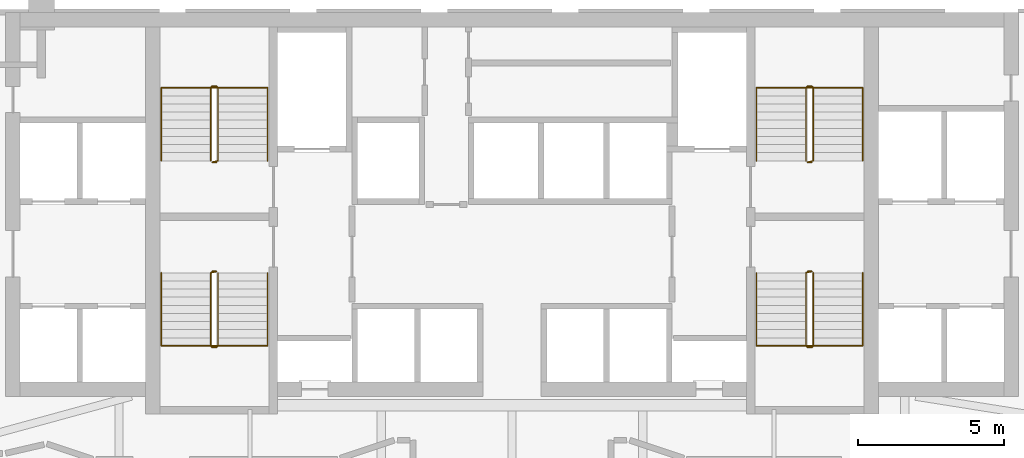
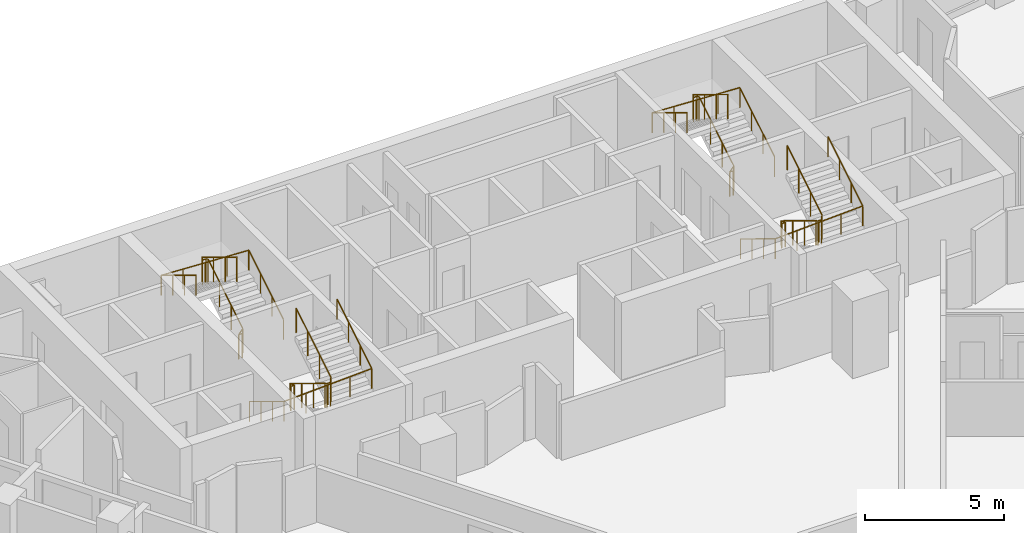
# One storey, part 10 of 10: 8 railings.
"""IFC4 building model written with IfcOpenShell, lengths in metres."""

from ifc_helpers import new_model, si_unit, direction, frame, origin, origin_2d, place, context, subcontext, project, spatial, circle, extrude, material, type_object, element, save


model = new_model("IFC4")

# Units and contexts
model_context = context("Model", 3, precision=1e-05, world=origin(), true_north=direction((0.0, 1.0)))
body_context = subcontext(model_context, "Body", "Model", "MODEL_VIEW")
ifc_project = project(units=[si_unit("LENGTHUNIT", "METRE"), si_unit("AREAUNIT", "SQUARE_METRE"), si_unit("VOLUMEUNIT", "CUBIC_METRE"), si_unit("PLANEANGLEUNIT", "RADIAN"), si_unit("MASSUNIT", "GRAM", prefix="KILO")], contexts=[model_context])

# Site, building, storey
site_placement = place(None, origin())
site = spatial("IfcSite", under=ifc_project, at=site_placement, CompositionType="ELEMENT")
building_placement = place(site_placement, origin())
building = spatial("IfcBuilding", under=site, at=building_placement, Name="Calabash Gate Tower", CompositionType="ELEMENT")
storey_placement = place(building_placement, frame((0.0, 0.0, 105.39990234375)))
storey = spatial("IfcBuildingStorey", under=building, at=storey_placement, Name="L23", CompositionType="ELEMENT", Elevation=105.39990234375)

# Railings
ifc_material_1 = material(Name="Black powder-coated steel balusters", Category="steel")
railing_type_1 = type_object("IfcRailingType", Name="Stair guard RL1100", PredefinedType="GUARDRAIL", material=ifc_material_1)
railing_1_placement = place(storey_placement, frame((-10.14990234375, 13.902587890625, 0.0)))
element("IfcRailing", 1, at=railing_1_placement, inside=storey, type_object=railing_type_1, Name="L23 ST1 stair guard 1", PredefinedType="GUARDRAIL", context=body_context, shape_type="SweptSolid", body=[
    extrude(circle(Radius=0.02392578125, at=origin_2d()), frame((0.0, 0.0, 1.076171875), z_axis=(-1.0, 0.0, 0.0), x_axis=(0.0, -1.0, 0.0)), (0.0, 0.0, 1.0), 0.150146484375),
    extrude(circle(Radius=0.02392578125, at=origin_2d()), frame((-0.150146484375, 0.0, 1.076171875), z_axis=(0.748079357382, 0.187248190798, 0.636643848712), x_axis=(-0.242814311512, 0.970072785993, 0.0)), (0.0, 0.0, 1.0), 0.267333984375),
    extrude(circle(Radius=0.02392578125, at=origin_2d()), frame((0.0498046875, 0.050048828125, 1.24609375), z_axis=(0.0, 0.853956361026, 0.520344629514), x_axis=(-1.0, 0.0, 0.0)), (0.0, 0.0, 1.0), 2.9404296875),
    extrude(circle(Radius=0.02392578125, at=origin_2d()), frame((0.0498046875, 2.56103515625, 2.7763671875), z_axis=(-0.705375805398, 0.708833529934, 0.0), x_axis=(-0.708833529934, -0.705375805398, 0.0)), (0.0, 0.0, 1.0), 0.070556640625),
    extrude(circle(Radius=0.02392578125, at=origin_2d()), frame((0.0, 2.611083984375, 2.7763671875), z_axis=(-1.0, 0.0, 0.0), x_axis=(0.0, -1.0, 0.0)), (0.0, 0.0, 1.0), 0.150146484375),
    extrude(circle(Radius=0.02392578125, at=origin_2d()), frame((-0.150146484375, 2.611083984375, 2.7763671875), z_axis=(-0.271895245746, -0.271895245746, 0.923117517265), x_axis=(0.707106781187, -0.707106781187, 0.0)), (0.0, 0.0, 1.0), 0.18408203125),
    extrude(circle(Radius=0.02392578125, at=origin_2d()), frame((-0.2001953125, 2.56103515625, 2.9462890625), z_axis=(0.0, -0.853956361026, 0.520344629514), x_axis=(1.0, 0.0, 0.0)), (0.0, 0.0, 1.0), 2.9404296875),
    extrude(circle(Radius=0.02099609375, at=origin_2d()), origin(), (0.0, 0.0, 1.0), 1.052001953125),
    extrude(circle(Radius=0.02099609375, at=origin_2d()), frame((-0.150146484375, 0.0, 0.0)), (0.0, 0.0, 1.0), 1.052001953125),
    extrude(circle(Radius=0.02099609375, at=origin_2d()), frame((0.0498046875, 0.050048828125, 0.170166015625)), (0.0, 0.0, 1.0), 1.052001953125),
    extrude(circle(Radius=0.02099609375, at=origin_2d()), frame((0.0498046875, 0.886962890625, 0.68017578125)), (0.0, 0.0, 1.0), 1.052001953125),
    extrude(circle(Radius=0.02099609375, at=origin_2d()), frame((0.0498046875, 1.72412109375, 1.190185546875)), (0.0, 0.0, 1.0), 1.052001953125),
    extrude(circle(Radius=0.02099609375, at=origin_2d()), frame((0.0498046875, 2.56103515625, 1.7001953125)), (0.0, 0.0, 1.0), 1.052001953125),
    extrude(circle(Radius=0.02099609375, at=origin_2d()), frame((0.0, 2.611083984375, 1.7001953125)), (0.0, 0.0, 1.0), 1.052001953125),
    extrude(circle(Radius=0.02099609375, at=origin_2d()), frame((-0.150146484375, 2.611083984375, 1.7001953125)), (0.0, 0.0, 1.0), 1.052001953125),
    extrude(circle(Radius=0.02099609375, at=origin_2d()), frame((-0.2001953125, 2.56103515625, 1.8701171875)), (0.0, 0.0, 1.0), 1.052001953125),
    extrude(circle(Radius=0.02099609375, at=origin_2d()), frame((-0.2001953125, 1.72412109375, 2.380126953125)), (0.0, 0.0, 1.0), 1.052001953125),
    extrude(circle(Radius=0.02099609375, at=origin_2d()), frame((-0.2001953125, 0.886962890625, 2.89013671875)), (0.0, 0.0, 1.0), 1.052001953125),
    extrude(circle(Radius=0.02099609375, at=origin_2d()), frame((-0.2001953125, 0.050048828125, 3.400146484375)), (0.0, 0.0, 1.0), 1.052001953125),
])
railing_2_placement = place(storey_placement, frame((-10.300048828125, 10.152587890625, 0.0)))
element("IfcRailing", 2, at=railing_2_placement, inside=storey, type_object=railing_type_1, Name="L23 ST2 stair guard 1", PredefinedType="GUARDRAIL", context=body_context, shape_type="SweptSolid", body=[
    extrude(circle(Radius=0.02392578125, at=origin_2d()), frame((0.0, 0.0, 1.076171875), z_axis=(1.0, 0.0, 0.0), x_axis=(0.0, 1.0, 0.0)), (0.0, 0.0, 1.0), 0.150146484375),
    extrude(circle(Radius=0.02392578125, at=origin_2d()), frame((0.150146484375, 0.0, 1.076171875), z_axis=(-0.748481188565, -0.187120297141, 0.63620901028), x_axis=(0.242535625036, -0.970142500145, 0.0)), (0.0, 0.0, 1.0), 0.267578125),
    extrude(circle(Radius=0.02392578125, at=origin_2d()), frame((-0.050048828125, -0.050048828125, 1.24609375), z_axis=(0.0, -0.853956361026, 0.520344629514), x_axis=(1.0, 0.0, 0.0)), (0.0, 0.0, 1.0), 2.9404296875),
    extrude(circle(Radius=0.02392578125, at=origin_2d()), frame((-0.050048828125, -2.56103515625, 2.7763671875), z_axis=(0.707106781187, -0.707106781187, 0.0), x_axis=(0.707106781187, 0.707106781187, 0.0)), (0.0, 0.0, 1.0), 0.07080078125),
    extrude(circle(Radius=0.02392578125, at=origin_2d()), frame((0.0, -2.611083984375, 2.7763671875), z_axis=(1.0, 0.0, 0.0), x_axis=(0.0, 1.0, 0.0)), (0.0, 0.0, 1.0), 0.150146484375),
    extrude(circle(Radius=0.02392578125, at=origin_2d()), frame((0.150146484375, -2.611083984375, 2.7763671875), z_axis=(0.270666314514, 0.271993110173, 0.92344977893), x_axis=(-0.708833529934, 0.705375805398, 0.0)), (0.0, 0.0, 1.0), 0.18408203125),
    extrude(circle(Radius=0.02392578125, at=origin_2d()), frame((0.199951171875, -2.56103515625, 2.9462890625), z_axis=(0.0, 0.853956361026, 0.520344629514), x_axis=(-1.0, 0.0, 0.0)), (0.0, 0.0, 1.0), 2.9404296875),
    extrude(circle(Radius=0.02099609375, at=origin_2d()), origin(), (0.0, 0.0, 1.0), 1.052001953125),
    extrude(circle(Radius=0.02099609375, at=origin_2d()), frame((0.150146484375, 0.0, 0.0)), (0.0, 0.0, 1.0), 1.052001953125),
    extrude(circle(Radius=0.02099609375, at=origin_2d()), frame((-0.050048828125, -0.050048828125, 0.170166015625)), (0.0, 0.0, 1.0), 1.052001953125),
    extrude(circle(Radius=0.02099609375, at=origin_2d()), frame((-0.050048828125, -0.886962890625, 0.68017578125)), (0.0, 0.0, 1.0), 1.052001953125),
    extrude(circle(Radius=0.02099609375, at=origin_2d()), frame((-0.050048828125, -1.72412109375, 1.190185546875)), (0.0, 0.0, 1.0), 1.052001953125),
    extrude(circle(Radius=0.02099609375, at=origin_2d()), frame((-0.050048828125, -2.56103515625, 1.7001953125)), (0.0, 0.0, 1.0), 1.052001953125),
    extrude(circle(Radius=0.02099609375, at=origin_2d()), frame((0.0, -2.611083984375, 1.7001953125)), (0.0, 0.0, 1.0), 1.052001953125),
    extrude(circle(Radius=0.02099609375, at=origin_2d()), frame((0.150146484375, -2.611083984375, 1.7001953125)), (0.0, 0.0, 1.0), 1.052001953125),
    extrude(circle(Radius=0.02099609375, at=origin_2d()), frame((0.199951171875, -2.56103515625, 1.8701171875)), (0.0, 0.0, 1.0), 1.052001953125),
    extrude(circle(Radius=0.02099609375, at=origin_2d()), frame((0.199951171875, -1.72412109375, 2.380126953125)), (0.0, 0.0, 1.0), 1.052001953125),
    extrude(circle(Radius=0.02099609375, at=origin_2d()), frame((0.199951171875, -0.886962890625, 2.89013671875)), (0.0, 0.0, 1.0), 1.052001953125),
    extrude(circle(Radius=0.02099609375, at=origin_2d()), frame((0.199951171875, -0.050048828125, 3.400146484375)), (0.0, 0.0, 1.0), 1.052001953125),
])
railing_3_placement = place(storey_placement, frame((10.300048828125, 13.902587890625, 0.0)))
element("IfcRailing", 3, at=railing_3_placement, inside=storey, type_object=railing_type_1, Name="L23 ST3 stair guard 1", PredefinedType="GUARDRAIL", context=body_context, shape_type="SweptSolid", body=[
    extrude(circle(Radius=0.02392578125, at=origin_2d()), frame((0.0, 0.0, 1.076171875), z_axis=(-1.0, 0.0, 0.0), x_axis=(0.0, -1.0, 0.0)), (0.0, 0.0, 1.0), 0.150146484375),
    extrude(circle(Radius=0.02392578125, at=origin_2d()), frame((-0.150146484375, 0.0, 1.076171875), z_axis=(0.748481188565, 0.187120297141, 0.63620901028), x_axis=(-0.242535625036, 0.970142500145, 0.0)), (0.0, 0.0, 1.0), 0.267578125),
    extrude(circle(Radius=0.02392578125, at=origin_2d()), frame((0.050048828125, 0.050048828125, 1.24609375), z_axis=(0.0, 0.853956361026, 0.520344629514), x_axis=(-1.0, 0.0, 0.0)), (0.0, 0.0, 1.0), 2.9404296875),
    extrude(circle(Radius=0.02392578125, at=origin_2d()), frame((0.050048828125, 2.56103515625, 2.7763671875), z_axis=(-0.707106781187, 0.707106781187, 0.0), x_axis=(-0.707106781187, -0.707106781187, 0.0)), (0.0, 0.0, 1.0), 0.07080078125),
    extrude(circle(Radius=0.02392578125, at=origin_2d()), frame((0.0, 2.611083984375, 2.7763671875), z_axis=(-1.0, 0.0, 0.0), x_axis=(0.0, -1.0, 0.0)), (0.0, 0.0, 1.0), 0.150146484375),
    extrude(circle(Radius=0.02392578125, at=origin_2d()), frame((-0.150146484375, 2.611083984375, 2.7763671875), z_axis=(-0.270666314514, -0.271993110173, 0.92344977893), x_axis=(0.708833529934, -0.705375805398, 0.0)), (0.0, 0.0, 1.0), 0.18408203125),
    extrude(circle(Radius=0.02392578125, at=origin_2d()), frame((-0.199951171875, 2.56103515625, 2.9462890625), z_axis=(0.0, -0.853956361026, 0.520344629514), x_axis=(1.0, 0.0, 0.0)), (0.0, 0.0, 1.0), 2.9404296875),
    extrude(circle(Radius=0.02099609375, at=origin_2d()), origin(), (0.0, 0.0, 1.0), 1.052001953125),
    extrude(circle(Radius=0.02099609375, at=origin_2d()), frame((-0.150146484375, 0.0, 0.0)), (0.0, 0.0, 1.0), 1.052001953125),
    extrude(circle(Radius=0.02099609375, at=origin_2d()), frame((0.050048828125, 0.050048828125, 0.170166015625)), (0.0, 0.0, 1.0), 1.052001953125),
    extrude(circle(Radius=0.02099609375, at=origin_2d()), frame((0.050048828125, 0.886962890625, 0.68017578125)), (0.0, 0.0, 1.0), 1.052001953125),
    extrude(circle(Radius=0.02099609375, at=origin_2d()), frame((0.050048828125, 1.72412109375, 1.190185546875)), (0.0, 0.0, 1.0), 1.052001953125),
    extrude(circle(Radius=0.02099609375, at=origin_2d()), frame((0.050048828125, 2.56103515625, 1.7001953125)), (0.0, 0.0, 1.0), 1.052001953125),
    extrude(circle(Radius=0.02099609375, at=origin_2d()), frame((0.0, 2.611083984375, 1.7001953125)), (0.0, 0.0, 1.0), 1.052001953125),
    extrude(circle(Radius=0.02099609375, at=origin_2d()), frame((-0.150146484375, 2.611083984375, 1.7001953125)), (0.0, 0.0, 1.0), 1.052001953125),
    extrude(circle(Radius=0.02099609375, at=origin_2d()), frame((-0.199951171875, 2.56103515625, 1.8701171875)), (0.0, 0.0, 1.0), 1.052001953125),
    extrude(circle(Radius=0.02099609375, at=origin_2d()), frame((-0.199951171875, 1.72412109375, 2.380126953125)), (0.0, 0.0, 1.0), 1.052001953125),
    extrude(circle(Radius=0.02099609375, at=origin_2d()), frame((-0.199951171875, 0.886962890625, 2.89013671875)), (0.0, 0.0, 1.0), 1.052001953125),
    extrude(circle(Radius=0.02099609375, at=origin_2d()), frame((-0.199951171875, 0.050048828125, 3.400146484375)), (0.0, 0.0, 1.0), 1.052001953125),
])
railing_4_placement = place(storey_placement, frame((10.14990234375, 10.152587890625, 0.0)))
element("IfcRailing", 4, at=railing_4_placement, inside=storey, type_object=railing_type_1, Name="L23 ST4 stair guard 1", PredefinedType="GUARDRAIL", context=body_context, shape_type="SweptSolid", body=[
    extrude(circle(Radius=0.02392578125, at=origin_2d()), frame((0.0, 0.0, 1.076171875), z_axis=(1.0, 0.0, 0.0), x_axis=(0.0, 1.0, 0.0)), (0.0, 0.0, 1.0), 0.150146484375),
    extrude(circle(Radius=0.02392578125, at=origin_2d()), frame((0.150146484375, 0.0, 1.076171875), z_axis=(-0.748079357382, -0.187248190798, 0.636643848712), x_axis=(0.242814311512, -0.970072785993, 0.0)), (0.0, 0.0, 1.0), 0.267333984375),
    extrude(circle(Radius=0.02392578125, at=origin_2d()), frame((-0.0498046875, -0.050048828125, 1.24609375), z_axis=(0.0, -0.853956361026, 0.520344629514), x_axis=(1.0, 0.0, 0.0)), (0.0, 0.0, 1.0), 2.9404296875),
    extrude(circle(Radius=0.02392578125, at=origin_2d()), frame((-0.0498046875, -2.56103515625, 2.7763671875), z_axis=(0.705375805398, -0.708833529934, 0.0), x_axis=(0.708833529934, 0.705375805398, 0.0)), (0.0, 0.0, 1.0), 0.070556640625),
    extrude(circle(Radius=0.02392578125, at=origin_2d()), frame((0.0, -2.611083984375, 2.7763671875), z_axis=(1.0, 0.0, 0.0), x_axis=(0.0, 1.0, 0.0)), (0.0, 0.0, 1.0), 0.150146484375),
    extrude(circle(Radius=0.02392578125, at=origin_2d()), frame((0.150146484375, -2.611083984375, 2.7763671875), z_axis=(0.271895245746, 0.271895245746, 0.923117517265), x_axis=(-0.707106781187, 0.707106781187, 0.0)), (0.0, 0.0, 1.0), 0.18408203125),
    extrude(circle(Radius=0.02392578125, at=origin_2d()), frame((0.2001953125, -2.56103515625, 2.9462890625), z_axis=(0.0, 0.853956361026, 0.520344629514), x_axis=(-1.0, 0.0, 0.0)), (0.0, 0.0, 1.0), 2.9404296875),
    extrude(circle(Radius=0.02099609375, at=origin_2d()), origin(), (0.0, 0.0, 1.0), 1.052001953125),
    extrude(circle(Radius=0.02099609375, at=origin_2d()), frame((0.150146484375, 0.0, 0.0)), (0.0, 0.0, 1.0), 1.052001953125),
    extrude(circle(Radius=0.02099609375, at=origin_2d()), frame((-0.0498046875, -0.050048828125, 0.170166015625)), (0.0, 0.0, 1.0), 1.052001953125),
    extrude(circle(Radius=0.02099609375, at=origin_2d()), frame((-0.0498046875, -0.886962890625, 0.68017578125)), (0.0, 0.0, 1.0), 1.052001953125),
    extrude(circle(Radius=0.02099609375, at=origin_2d()), frame((-0.0498046875, -1.72412109375, 1.190185546875)), (0.0, 0.0, 1.0), 1.052001953125),
    extrude(circle(Radius=0.02099609375, at=origin_2d()), frame((-0.0498046875, -2.56103515625, 1.7001953125)), (0.0, 0.0, 1.0), 1.052001953125),
    extrude(circle(Radius=0.02099609375, at=origin_2d()), frame((0.0, -2.611083984375, 1.7001953125)), (0.0, 0.0, 1.0), 1.052001953125),
    extrude(circle(Radius=0.02099609375, at=origin_2d()), frame((0.150146484375, -2.611083984375, 1.7001953125)), (0.0, 0.0, 1.0), 1.052001953125),
    extrude(circle(Radius=0.02099609375, at=origin_2d()), frame((0.2001953125, -2.56103515625, 1.8701171875)), (0.0, 0.0, 1.0), 1.052001953125),
    extrude(circle(Radius=0.02099609375, at=origin_2d()), frame((0.2001953125, -1.72412109375, 2.380126953125)), (0.0, 0.0, 1.0), 1.052001953125),
    extrude(circle(Radius=0.02099609375, at=origin_2d()), frame((0.2001953125, -0.886962890625, 2.89013671875)), (0.0, 0.0, 1.0), 1.052001953125),
    extrude(circle(Radius=0.02099609375, at=origin_2d()), frame((0.2001953125, -0.050048828125, 3.400146484375)), (0.0, 0.0, 1.0), 1.052001953125),
])
ifc_material_2 = material(Name="Black powder-coated steel tube 48 mm", Category="steel")
railing_type_2 = type_object("IfcRailingType", Name="Stair handrail RL900", PredefinedType="HANDRAIL", material=ifc_material_2)
railing_5_placement = place(storey_placement, frame((-8.39990234375, 13.95263671875, 0.170166015625)))
element("IfcRailing", 5, at=railing_5_placement, inside=storey, type_object=railing_type_2, Name="L23 ST1 stair handrail 1", PredefinedType="HANDRAIL", context=body_context, shape_type="SweptSolid", body=[
    extrude(circle(Radius=0.02392578125, at=origin_2d()), frame((0.0, 0.0, 0.8759765625), z_axis=(0.0, 0.853956361026, 0.520344629514), x_axis=(-1.0, 0.0, 0.0)), (0.0, 0.0, 1.0), 2.9404296875),
    extrude(circle(Radius=0.02392578125, at=origin_2d()), frame((0.0, 2.510986328125, 2.40576171875), z_axis=(-0.998918210324, 0.0, 0.046501710547), x_axis=(0.0, -1.0, 0.0)), (0.0, 0.0, 1.0), 3.654052734375),
    extrude(circle(Radius=0.02392578125, at=origin_2d()), frame((-3.650146484375, 2.510986328125, 2.57568359375), z_axis=(0.0, -0.853956361026, 0.520344629514), x_axis=(1.0, 0.0, 0.0)), (0.0, 0.0, 1.0), 2.9404296875),
    extrude(circle(Radius=0.02099609375, at=origin_2d()), origin(), (0.0, 0.0, 1.0), 0.851806640625),
    extrude(circle(Radius=0.02099609375, at=origin_2d()), frame((0.0, 0.8369140625, 0.510009765625)), (0.0, 0.0, 1.0), 0.851806640625),
    extrude(circle(Radius=0.02099609375, at=origin_2d()), frame((0.0, 1.674072265625, 1.02001953125)), (0.0, 0.0, 1.0), 0.851806640625),
    extrude(circle(Radius=0.02099609375, at=origin_2d()), frame((0.0, 2.510986328125, 1.530029296875)), (0.0, 0.0, 1.0), 0.851806640625),
    extrude(circle(Radius=0.02099609375, at=origin_2d()), frame((-0.91259765625, 2.510986328125, 1.572509765625)), (0.0, 0.0, 1.0), 0.851806640625),
    extrude(circle(Radius=0.02099609375, at=origin_2d()), frame((-1.8251953125, 2.510986328125, 1.614990234375)), (0.0, 0.0, 1.0), 0.851806640625),
    extrude(circle(Radius=0.02099609375, at=origin_2d()), frame((-2.737548828125, 2.510986328125, 1.657470703125)), (0.0, 0.0, 1.0), 0.851806640625),
    extrude(circle(Radius=0.02099609375, at=origin_2d()), frame((-3.650146484375, 2.510986328125, 1.699951171875)), (0.0, 0.0, 1.0), 0.851806640625),
    extrude(circle(Radius=0.02099609375, at=origin_2d()), frame((-3.650146484375, 1.674072265625, 2.2099609375)), (0.0, 0.0, 1.0), 0.851806640625),
    extrude(circle(Radius=0.02099609375, at=origin_2d()), frame((-3.650146484375, 0.8369140625, 2.719970703125)), (0.0, 0.0, 1.0), 0.851806640625),
    extrude(circle(Radius=0.02099609375, at=origin_2d()), frame((-3.650146484375, 0.0, 3.22998046875)), (0.0, 0.0, 1.0), 0.851806640625),
])
railing_6_placement = place(storey_placement, frame((-12.050048828125, 10.1025390625, 0.170166015625)))
element("IfcRailing", 6, at=railing_6_placement, inside=storey, type_object=railing_type_2, Name="L23 ST2 stair handrail 1", PredefinedType="HANDRAIL", context=body_context, shape_type="SweptSolid", body=[
    extrude(circle(Radius=0.02392578125, at=origin_2d()), frame((0.0, 0.0, 0.8759765625), z_axis=(0.0, -0.853956361026, 0.520344629514), x_axis=(1.0, 0.0, 0.0)), (0.0, 0.0, 1.0), 2.9404296875),
    extrude(circle(Radius=0.02392578125, at=origin_2d()), frame((0.0, -2.510986328125, 2.40576171875), z_axis=(0.998918210324, 0.0, 0.046501710547), x_axis=(0.0, 1.0, 0.0)), (0.0, 0.0, 1.0), 3.654052734375),
    extrude(circle(Radius=0.02392578125, at=origin_2d()), frame((3.650146484375, -2.510986328125, 2.57568359375), z_axis=(0.0, 0.853956361026, 0.520344629514), x_axis=(-1.0, 0.0, 0.0)), (0.0, 0.0, 1.0), 2.9404296875),
    extrude(circle(Radius=0.02099609375, at=origin_2d()), origin(), (0.0, 0.0, 1.0), 0.851806640625),
    extrude(circle(Radius=0.02099609375, at=origin_2d()), frame((0.0, -0.8369140625, 0.510009765625)), (0.0, 0.0, 1.0), 0.851806640625),
    extrude(circle(Radius=0.02099609375, at=origin_2d()), frame((0.0, -1.674072265625, 1.02001953125)), (0.0, 0.0, 1.0), 0.851806640625),
    extrude(circle(Radius=0.02099609375, at=origin_2d()), frame((0.0, -2.510986328125, 1.530029296875)), (0.0, 0.0, 1.0), 0.851806640625),
    extrude(circle(Radius=0.02099609375, at=origin_2d()), frame((0.91259765625, -2.510986328125, 1.572509765625)), (0.0, 0.0, 1.0), 0.851806640625),
    extrude(circle(Radius=0.02099609375, at=origin_2d()), frame((1.8251953125, -2.510986328125, 1.614990234375)), (0.0, 0.0, 1.0), 0.851806640625),
    extrude(circle(Radius=0.02099609375, at=origin_2d()), frame((2.737548828125, -2.510986328125, 1.657470703125)), (0.0, 0.0, 1.0), 0.851806640625),
    extrude(circle(Radius=0.02099609375, at=origin_2d()), frame((3.650146484375, -2.510986328125, 1.699951171875)), (0.0, 0.0, 1.0), 0.851806640625),
    extrude(circle(Radius=0.02099609375, at=origin_2d()), frame((3.650146484375, -1.674072265625, 2.2099609375)), (0.0, 0.0, 1.0), 0.851806640625),
    extrude(circle(Radius=0.02099609375, at=origin_2d()), frame((3.650146484375, -0.8369140625, 2.719970703125)), (0.0, 0.0, 1.0), 0.851806640625),
    extrude(circle(Radius=0.02099609375, at=origin_2d()), frame((3.650146484375, 0.0, 3.22998046875)), (0.0, 0.0, 1.0), 0.851806640625),
])
railing_7_placement = place(storey_placement, frame((12.050048828125, 13.95263671875, 0.170166015625)))
element("IfcRailing", 7, at=railing_7_placement, inside=storey, type_object=railing_type_2, Name="L23 ST3 stair handrail 1", PredefinedType="HANDRAIL", context=body_context, shape_type="SweptSolid", body=[
    extrude(circle(Radius=0.02392578125, at=origin_2d()), frame((0.0, 0.0, 0.8759765625), z_axis=(0.0, 0.853956361026, 0.520344629514), x_axis=(-1.0, 0.0, 0.0)), (0.0, 0.0, 1.0), 2.9404296875),
    extrude(circle(Radius=0.02392578125, at=origin_2d()), frame((0.0, 2.510986328125, 2.40576171875), z_axis=(-0.998918210324, 0.0, 0.046501710547), x_axis=(0.0, -1.0, 0.0)), (0.0, 0.0, 1.0), 3.654052734375),
    extrude(circle(Radius=0.02392578125, at=origin_2d()), frame((-3.650146484375, 2.510986328125, 2.57568359375), z_axis=(0.0, -0.853956361026, 0.520344629514), x_axis=(1.0, 0.0, 0.0)), (0.0, 0.0, 1.0), 2.9404296875),
    extrude(circle(Radius=0.02099609375, at=origin_2d()), origin(), (0.0, 0.0, 1.0), 0.851806640625),
    extrude(circle(Radius=0.02099609375, at=origin_2d()), frame((0.0, 0.8369140625, 0.510009765625)), (0.0, 0.0, 1.0), 0.851806640625),
    extrude(circle(Radius=0.02099609375, at=origin_2d()), frame((0.0, 1.674072265625, 1.02001953125)), (0.0, 0.0, 1.0), 0.851806640625),
    extrude(circle(Radius=0.02099609375, at=origin_2d()), frame((0.0, 2.510986328125, 1.530029296875)), (0.0, 0.0, 1.0), 0.851806640625),
    extrude(circle(Radius=0.02099609375, at=origin_2d()), frame((-0.91259765625, 2.510986328125, 1.572509765625)), (0.0, 0.0, 1.0), 0.851806640625),
    extrude(circle(Radius=0.02099609375, at=origin_2d()), frame((-1.8251953125, 2.510986328125, 1.614990234375)), (0.0, 0.0, 1.0), 0.851806640625),
    extrude(circle(Radius=0.02099609375, at=origin_2d()), frame((-2.737548828125, 2.510986328125, 1.657470703125)), (0.0, 0.0, 1.0), 0.851806640625),
    extrude(circle(Radius=0.02099609375, at=origin_2d()), frame((-3.650146484375, 2.510986328125, 1.699951171875)), (0.0, 0.0, 1.0), 0.851806640625),
    extrude(circle(Radius=0.02099609375, at=origin_2d()), frame((-3.650146484375, 1.674072265625, 2.2099609375)), (0.0, 0.0, 1.0), 0.851806640625),
    extrude(circle(Radius=0.02099609375, at=origin_2d()), frame((-3.650146484375, 0.8369140625, 2.719970703125)), (0.0, 0.0, 1.0), 0.851806640625),
    extrude(circle(Radius=0.02099609375, at=origin_2d()), frame((-3.650146484375, 0.0, 3.22998046875)), (0.0, 0.0, 1.0), 0.851806640625),
])
railing_8_placement = place(storey_placement, frame((8.39990234375, 10.1025390625, 0.170166015625)))
element("IfcRailing", 8, at=railing_8_placement, inside=storey, type_object=railing_type_2, Name="L23 ST4 stair handrail 1", PredefinedType="HANDRAIL", context=body_context, shape_type="SweptSolid", body=[
    extrude(circle(Radius=0.02392578125, at=origin_2d()), frame((0.0, 0.0, 0.8759765625), z_axis=(0.0, -0.853956361026, 0.520344629514), x_axis=(1.0, 0.0, 0.0)), (0.0, 0.0, 1.0), 2.9404296875),
    extrude(circle(Radius=0.02392578125, at=origin_2d()), frame((0.0, -2.510986328125, 2.40576171875), z_axis=(0.998918210324, 0.0, 0.046501710547), x_axis=(0.0, 1.0, 0.0)), (0.0, 0.0, 1.0), 3.654052734375),
    extrude(circle(Radius=0.02392578125, at=origin_2d()), frame((3.650146484375, -2.510986328125, 2.57568359375), z_axis=(0.0, 0.853956361026, 0.520344629514), x_axis=(-1.0, 0.0, 0.0)), (0.0, 0.0, 1.0), 2.9404296875),
    extrude(circle(Radius=0.02099609375, at=origin_2d()), origin(), (0.0, 0.0, 1.0), 0.851806640625),
    extrude(circle(Radius=0.02099609375, at=origin_2d()), frame((0.0, -0.8369140625, 0.510009765625)), (0.0, 0.0, 1.0), 0.851806640625),
    extrude(circle(Radius=0.02099609375, at=origin_2d()), frame((0.0, -1.674072265625, 1.02001953125)), (0.0, 0.0, 1.0), 0.851806640625),
    extrude(circle(Radius=0.02099609375, at=origin_2d()), frame((0.0, -2.510986328125, 1.530029296875)), (0.0, 0.0, 1.0), 0.851806640625),
    extrude(circle(Radius=0.02099609375, at=origin_2d()), frame((0.91259765625, -2.510986328125, 1.572509765625)), (0.0, 0.0, 1.0), 0.851806640625),
    extrude(circle(Radius=0.02099609375, at=origin_2d()), frame((1.8251953125, -2.510986328125, 1.614990234375)), (0.0, 0.0, 1.0), 0.851806640625),
    extrude(circle(Radius=0.02099609375, at=origin_2d()), frame((2.737548828125, -2.510986328125, 1.657470703125)), (0.0, 0.0, 1.0), 0.851806640625),
    extrude(circle(Radius=0.02099609375, at=origin_2d()), frame((3.650146484375, -2.510986328125, 1.699951171875)), (0.0, 0.0, 1.0), 0.851806640625),
    extrude(circle(Radius=0.02099609375, at=origin_2d()), frame((3.650146484375, -1.674072265625, 2.2099609375)), (0.0, 0.0, 1.0), 0.851806640625),
    extrude(circle(Radius=0.02099609375, at=origin_2d()), frame((3.650146484375, -0.8369140625, 2.719970703125)), (0.0, 0.0, 1.0), 0.851806640625),
    extrude(circle(Radius=0.02099609375, at=origin_2d()), frame((3.650146484375, 0.0, 3.22998046875)), (0.0, 0.0, 1.0), 0.851806640625),
])

save(model, "model.ifc")
